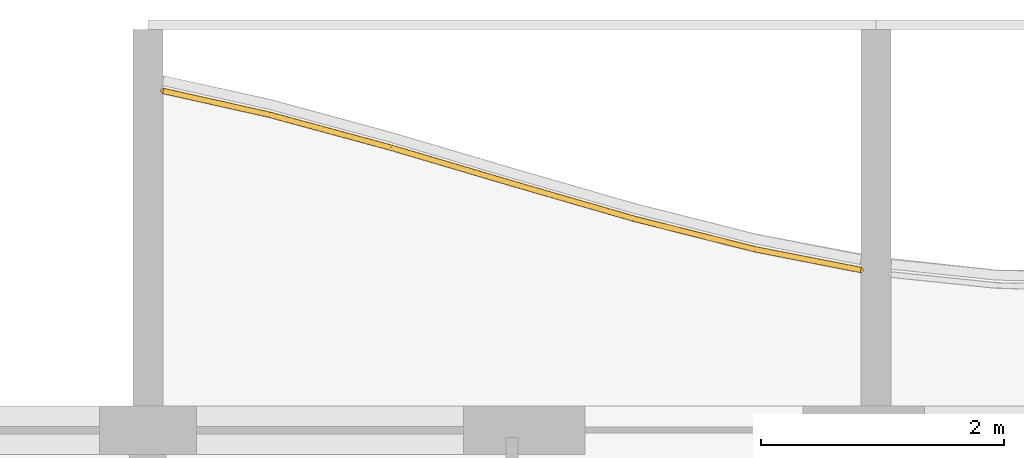
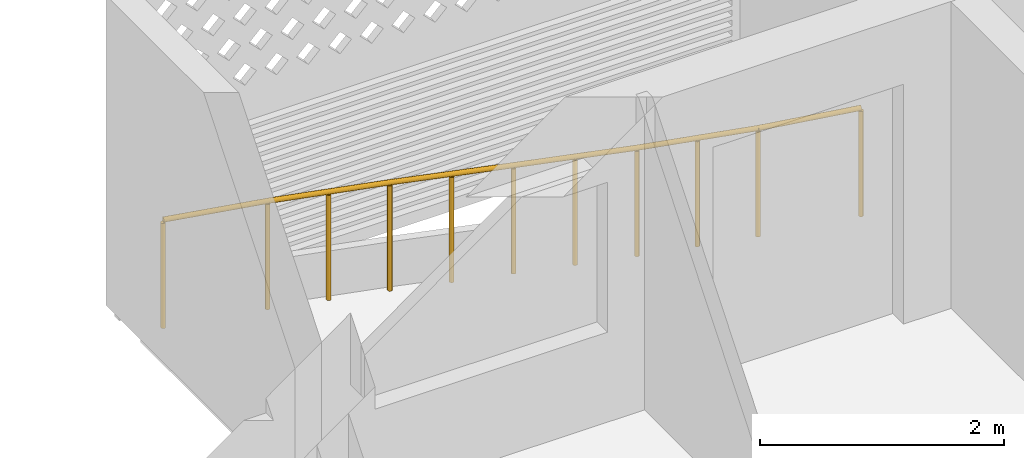
# One storey, part 28 of 33: 1 railing.
"""IFC4 building model written with IfcOpenShell, lengths in metres."""

from ifc_helpers import new_model, si_unit, direction, frame, origin, origin_2d, place, context, subcontext, project, spatial, circle, extrude, material, type_object, element, save


model = new_model("IFC4")

# Units and contexts
model_context = context("Model", 3, precision=1e-05, world=origin(), true_north=direction((0.0, 1.0)))
body_context = subcontext(model_context, "Body", "Model", "MODEL_VIEW")
ifc_project = project(units=[si_unit("LENGTHUNIT", "METRE"), si_unit("AREAUNIT", "SQUARE_METRE"), si_unit("VOLUMEUNIT", "CUBIC_METRE"), si_unit("PLANEANGLEUNIT", "RADIAN"), si_unit("MASSUNIT", "GRAM", prefix="KILO")], contexts=[model_context])

# Site, building, storey
site_placement = place(None, origin())
site = spatial("IfcSite", under=ifc_project, at=site_placement, CompositionType="ELEMENT")
building_placement = place(site_placement, origin())
building = spatial("IfcBuilding", under=site, at=building_placement, Name="Poui Terraces", CompositionType="ELEMENT")
storey_placement = place(building_placement, frame((0.0, 0.0, 138.89990234375)))
storey = spatial("IfcBuildingStorey", under=building, at=storey_placement, Name="L38", CompositionType="ELEMENT", Elevation=138.89990234375)

# Railing
ifc_material = material(Name="Painted steel fretwork", Category="steel")
railing_type = type_object("IfcRailingType", Name="BALCONY GUARD 1100", PredefinedType="GUARDRAIL", material=ifc_material)
railing_placement = place(storey_placement, frame((66.125, 45.195556640625, 0.0)))
element("IfcRailing", 1, at=railing_placement, inside=storey, type_object=railing_type, Name="BALCONY GUARD", PredefinedType="GUARDRAIL", context=body_context, shape_type="SweptSolid", body=[
    extrude(circle(Radius=0.02392578125, at=origin_2d()), frame((0.0, 0.0, 1.076171875), z_axis=(0.975865661819, -0.218371724548, 0.0), x_axis=(0.218371724548, 0.975865661819, 0.0)), (0.0, 0.0, 1.0), 0.896728515625),
    extrude(circle(Radius=0.02392578125, at=origin_2d()), frame((0.875, -0.19580078125, 1.076171875), z_axis=(0.965127211662, -0.261781331093, 0.0), x_axis=(0.261781331093, 0.965127211662, 0.0)), (0.0, 0.0, 1.0), 1.0361328125),
    extrude(circle(Radius=0.02392578125, at=origin_2d()), frame((1.875, -0.467041015625, 1.076171875), z_axis=(0.959029275123, -0.283306988012, 0.0), x_axis=(0.283306988012, 0.959029275123, 0.0)), (0.0, 0.0, 1.0), 1.042724609375),
    extrude(circle(Radius=0.02392578125, at=origin_2d()), frame((2.875, -0.762451171875, 1.076171875), z_axis=(0.960607111561, -0.277910016406, 0.0), x_axis=(0.277910016406, 0.960607111561, 0.0)), (0.0, 0.0, 1.0), 1.041015625),
    extrude(circle(Radius=0.02392578125, at=origin_2d()), frame((3.875, -1.0517578125, 1.076171875), z_axis=(0.969526767585, -0.244985401477, 0.0), x_axis=(0.244985401477, 0.969526767585, 0.0)), (0.0, 0.0, 1.0), 1.031494140625),
    extrude(circle(Radius=0.02392578125, at=origin_2d()), frame((4.875, -1.304443359375, 1.076171875), z_axis=(0.981403870586, -0.191954272679, 0.0), x_axis=(0.191954272679, 0.981403870586, 0.0)), (0.0, 0.0, 1.0), 0.8916015625),
    extrude(circle(Radius=0.02099609375, at=origin_2d()), origin(), (0.0, 0.0, 1.0), 1.052001953125),
    extrude(circle(Radius=0.02099609375, at=origin_2d()), frame((0.875, -0.19580078125, 0.0)), (0.0, 0.0, 1.0), 1.052001953125),
    extrude(circle(Radius=0.02099609375, at=origin_2d()), frame((1.375, -0.33154296875, 0.0)), (0.0, 0.0, 1.0), 1.052001953125),
    extrude(circle(Radius=0.02099609375, at=origin_2d()), frame((1.875, -0.467041015625, 0.0)), (0.0, 0.0, 1.0), 1.052001953125),
    extrude(circle(Radius=0.02099609375, at=origin_2d()), frame((2.375, -0.61474609375, 0.0)), (0.0, 0.0, 1.0), 1.052001953125),
    extrude(circle(Radius=0.02099609375, at=origin_2d()), frame((2.875, -0.762451171875, 0.0)), (0.0, 0.0, 1.0), 1.052001953125),
    extrude(circle(Radius=0.02099609375, at=origin_2d()), frame((3.375, -0.9072265625, 0.0)), (0.0, 0.0, 1.0), 1.052001953125),
    extrude(circle(Radius=0.02099609375, at=origin_2d()), frame((3.875, -1.0517578125, 0.0)), (0.0, 0.0, 1.0), 1.052001953125),
    extrude(circle(Radius=0.02099609375, at=origin_2d()), frame((4.375, -1.17822265625, 0.0)), (0.0, 0.0, 1.0), 1.052001953125),
    extrude(circle(Radius=0.02099609375, at=origin_2d()), frame((4.875, -1.304443359375, 0.0)), (0.0, 0.0, 1.0), 1.052001953125),
    extrude(circle(Radius=0.02099609375, at=origin_2d()), frame((5.75, -1.4755859375, 0.0)), (0.0, 0.0, 1.0), 1.052001953125),
])

save(model, "model.ifc")
